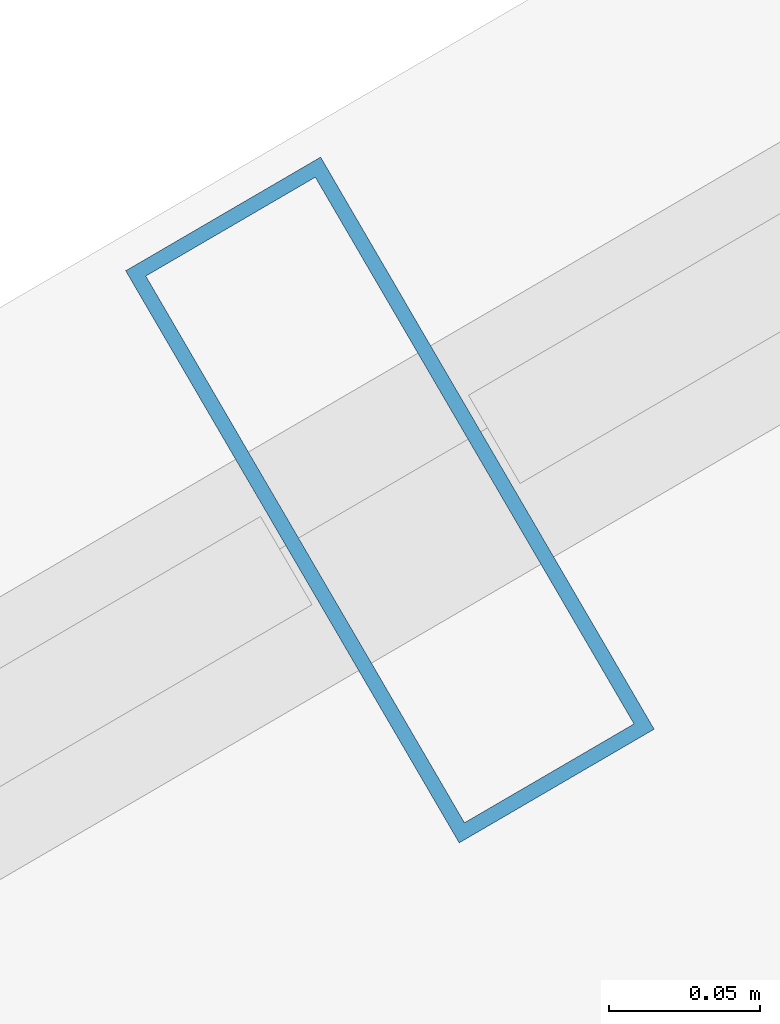
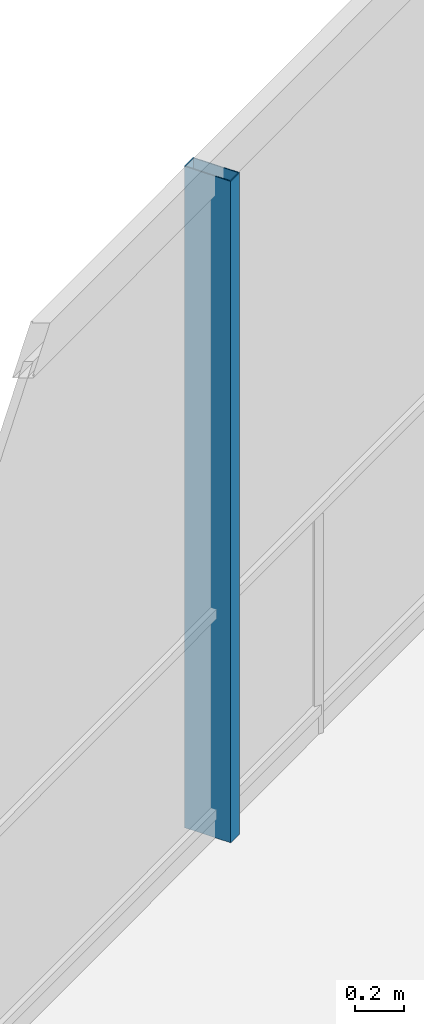
# One storey, part 10 of 19: 1 member, 1 element without a shape of its own.
"""IFC4 building model written with IfcOpenShell, lengths in metres."""

import ifcopenshell
import ifcopenshell.guid

model = None  # the IFC model being written
_history = None  # IfcOwnerHistory: only IFC2X3 demands one
_inside = {}  # id of a spatial element -> (the spatial element, [elements in it])
_under = {}  # id of a project, library or spatial element -> (it, [spatial elements below it])
_declared = {}  # id of a project -> (the project, [libraries it declares])
_typed = {}  # id of a type object -> (the type object, [elements of that type])
_made_of = {}  # id of a material, layer set ... -> (it, [elements and type objects made of it])


def new_model(schema):
    """Start an empty IFC model of exactly this schema.

    Asked for "IFC4X3", IfcOpenShell would pick the latest addendum, in which some entities
    have other attributes; the version numbers below select the first issue.
    IFC2X3 requires an IfcOwnerHistory on every rooted entity: one is made here for all.
    """
    global model, _history
    if schema == "IFC4X3":
        model = ifcopenshell.file(schema_version=(4, 3, 0, 0))
    else:
        model = ifcopenshell.file(schema=schema)
    _inside.clear()
    _under.clear()
    _declared.clear()
    _typed.clear()
    _made_of.clear()
    _history = None
    if model.schema == "IFC2X3":
        org = make("IfcOrganization", Name="unknown")
        user = make(
            "IfcPersonAndOrganization",
            ThePerson=make("IfcPerson", FamilyName="unknown"),
            TheOrganization=org,
        )
        app = make(
            "IfcApplication",
            ApplicationDeveloper=org,
            Version="unknown",
            ApplicationFullName="unknown",
            ApplicationIdentifier="unknown",
        )
        _history = make(
            "IfcOwnerHistory",
            OwningUser=user,
            OwningApplication=app,
            ChangeAction="ADDED",
            CreationDate=0,
        )
    return model


def make(cls, **values):
    """One entity of the class cls with the attributes given. An attribute that is None is left unset."""
    return model.create_entity(
        cls, **{name: value for name, value in values.items() if value is not None}
    )


def rooted(cls, **values):
    """An entity with a GlobalId (a new one), such as an element, a storey or a relation."""
    return make(cls, GlobalId=ifcopenshell.guid.new(), OwnerHistory=_history, **values)


def si_unit(unit_type, name, prefix=None):
    """IfcSIUnit, for example si_unit("LENGTHUNIT", "METRE", prefix="MILLI")."""
    return make("IfcSIUnit", UnitType=unit_type, Prefix=prefix, Name=name)


def assignment(units):
    """IfcUnitAssignment: the units of a project."""
    return None if units is None else make("IfcUnitAssignment", Units=units)


def point(xyz):
    """IfcCartesianPoint."""
    return None if xyz is None else make("IfcCartesianPoint", Coordinates=xyz)


def direction(xyz):
    """IfcDirection."""
    return None if xyz is None else make("IfcDirection", DirectionRatios=xyz)


def frame(location, z_axis=None, x_axis=None):
    """IfcAxis2Placement3D, a coordinate frame: its origin and axes. An axis left out is left unset."""
    return make(
        "IfcAxis2Placement3D",
        Location=point(location),
        Axis=direction(z_axis),
        RefDirection=direction(x_axis),
    )


def frame_2d(location, x_axis=None):
    """IfcAxis2Placement2D, a coordinate frame in the plane: its origin and x axis."""
    return make(
        "IfcAxis2Placement2D", Location=point(location), RefDirection=direction(x_axis)
    )


def origin():
    """The frame at (0, 0, 0) with its axes left unset."""
    return frame((0.0, 0.0, 0.0))


def origin_2d():
    """The frame at (0, 0) in the plane with its x axis left unset."""
    return frame_2d((0.0, 0.0))


def place(relative_to, where):
    """IfcLocalPlacement: puts the frame where relative to a parent placement (None: the world)."""
    return make(
        "IfcLocalPlacement", PlacementRelTo=relative_to, RelativePlacement=where
    )


def context(
    kind, dimensions, precision=None, world=None, true_north=None, identifier=None
):
    """IfcGeometricRepresentationContext, for example the 3D "Model" context."""
    return make(
        "IfcGeometricRepresentationContext",
        ContextIdentifier=identifier,
        ContextType=kind,
        CoordinateSpaceDimension=dimensions,
        Precision=precision,
        WorldCoordinateSystem=world,
        TrueNorth=true_north,
    )


def subcontext(parent, identifier, kind, view, scale=None):
    """IfcGeometricRepresentationSubContext, for example "Body" below "Model"."""
    return make(
        "IfcGeometricRepresentationSubContext",
        ContextIdentifier=identifier,
        ContextType=kind,
        ParentContext=parent,
        TargetScale=scale,
        TargetView=view,
    )


def project(units=None, contexts=None):
    """IfcProject with its units and contexts."""
    return rooted(
        "IfcProject",
        Name="project",
        RepresentationContexts=contexts,
        UnitsInContext=assignment(units),
    )


def spatial(cls, under=None, at=None, **own):
    """A site, building, storey or space (cls), placed at a placement, below another one or the project."""
    s = rooted(cls, ObjectPlacement=at, **own)
    if under is not None:
        _under.setdefault(under.id(), (under, []))[1].append(s)
    return s


def profile(cls, at=None, kind="AREA", **sizes):
    """A parametric profile (cls). Its sizes go by their IFC names, for example OverallWidth=200.0."""
    return make(cls, ProfileType=kind, Position=at, **sizes)


def hollow_rectangle(**sizes):
    """IfcRectangleHollowProfileDef."""
    return profile("IfcRectangleHollowProfileDef", **sizes)


def extrude(swept, where, along, depth):
    """IfcExtrudedAreaSolid: the profile swept, set in the frame where, extruded along a direction by depth."""
    return make(
        "IfcExtrudedAreaSolid",
        SweptArea=swept,
        Position=where,
        ExtrudedDirection=direction(along),
        Depth=depth,
    )


def shape(context_of_items, identifier, shape_type, items):
    """IfcShapeRepresentation: the items that make up one representation, for example the "Body"."""
    return make(
        "IfcShapeRepresentation",
        ContextOfItems=context_of_items,
        RepresentationIdentifier=identifier,
        RepresentationType=shape_type,
        Items=items,
    )


def material(Name=None, Category=None):
    """IfcMaterial."""
    return make("IfcMaterial", Name=Name, Category=Category)


def layer(
    of_material, thickness, ventilated=None, Name=None, Category=None, Priority=None
):
    """IfcMaterialLayer: one layer of a wall or slab, of a material (None: an air gap)."""
    return make(
        "IfcMaterialLayer",
        Material=of_material,
        LayerThickness=thickness,
        IsVentilated=ventilated,
        Name=Name,
        Category=Category,
        Priority=Priority,
    )


def layer_set(layers, Name=None):
    """IfcMaterialLayerSet."""
    return make("IfcMaterialLayerSet", MaterialLayers=layers, LayerSetName=Name)


def material_profile(
    of_material, cross_section, Name=None, Category=None, Priority=None
):
    """IfcMaterialProfile: a cross section and its material."""
    return make(
        "IfcMaterialProfile",
        Name=Name,
        Material=of_material,
        Profile=cross_section,
        Priority=Priority,
        Category=Category,
    )


def profile_set(profiles, Name=None, composite=None):
    """IfcMaterialProfileSet."""
    return make(
        "IfcMaterialProfileSet",
        Name=Name,
        MaterialProfiles=profiles,
        CompositeProfile=composite,
    )


def made_of(thing, what):
    """Note that an element or type object is made of a material, layer set ...; save() writes the relation."""
    if what is not None:
        _made_of.setdefault(what.id(), (what, []))[1].append(thing)
    return thing


def type_object(cls, material=None, **own):
    """A type object (cls), such as IfcWallType, which elements share."""
    return made_of(rooted(cls, **own), material)


def element(
    cls,
    number,
    at=None,
    inside=None,
    cuts=None,
    type_object=None,
    material=None,
    context=None,
    identifier="Body",
    shape_type=None,
    held_by="IfcProductDefinitionShape",
    body=None,
    shapes=None,
    **own,
):
    """One element of the class cls, such as IfcWall. Its Tag is "e" and its number.

    at: its placement. inside: the storey or other place that contains it. cuts: it is an
    opening in that element (IfcRelVoidsElement). A single representation is given by context,
    identifier, shape_type and body (its items); several are given by shapes. held_by: the class
    of the entity that holds the representations. save() writes the other relations.
    """
    e = rooted(cls, Tag="e%d" % number, ObjectPlacement=at, **own)
    if body is not None:
        shapes = [shape(context, identifier, shape_type, body)]
    if shapes is not None:
        e.Representation = make(held_by, Representations=shapes)
    if inside is not None:
        _inside.setdefault(inside.id(), (inside, []))[1].append(e)
    if cuts is not None:
        rooted(
            "IfcRelVoidsElement", RelatingBuildingElement=cuts, RelatedOpeningElement=e
        )
    if type_object is not None:
        _typed.setdefault(type_object.id(), (type_object, []))[1].append(e)
    return made_of(e, material)


def aggregate(whole, parts):
    """IfcRelAggregates: a whole, such as a stair, and the parts it consists of."""
    return rooted("IfcRelAggregates", RelatingObject=whole, RelatedObjects=parts)


def save(model, path):
    """Write the relations noted so far, then the file.

    IfcRelAggregates (storeys below a building ...), IfcRelContainedInSpatialStructure (elements
    in a storey), IfcRelDefinesByType, IfcRelAssociatesMaterial and IfcRelDeclares: one each for
    every whole, place, type object, material and project.
    """
    for whole, parts in _under.values():
        aggregate(whole, parts)
    for where, things in _inside.values():
        rooted(
            "IfcRelContainedInSpatialStructure",
            RelatedElements=things,
            RelatingStructure=where,
        )
    for kind, things in _typed.values():
        rooted("IfcRelDefinesByType", RelatedObjects=things, RelatingType=kind)
    for what, things in _made_of.values():
        rooted("IfcRelAssociatesMaterial", RelatedObjects=things, RelatingMaterial=what)
    for by, libraries in _declared.values():
        rooted("IfcRelDeclares", RelatingContext=by, RelatedDefinitions=libraries)
    model.write(path)


model = new_model("IFC4")

# Units and contexts
model_context = context("Model", 3, precision=1e-05, world=origin(), true_north=direction((0.0, 1.0)))
body_context = subcontext(model_context, "Body", "Model", "MODEL_VIEW")
ifc_project = project(units=[si_unit("LENGTHUNIT", "METRE"), si_unit("AREAUNIT", "SQUARE_METRE"), si_unit("VOLUMEUNIT", "CUBIC_METRE"), si_unit("PLANEANGLEUNIT", "RADIAN"), si_unit("MASSUNIT", "GRAM", prefix="KILO")], contexts=[model_context])

# Site, building, storey
site_placement = place(None, origin())
site = spatial("IfcSite", under=ifc_project, at=site_placement, CompositionType="ELEMENT")
building_placement = place(site_placement, origin())
building = spatial("IfcBuilding", under=site, at=building_placement, Name="Qarnah Convention Tower", CompositionType="ELEMENT")
storey_placement = place(building_placement, frame((0.0, 0.0, 180.60009765625)))
storey = spatial("IfcBuildingStorey", under=building, at=storey_placement, Name="L48", CompositionType="ELEMENT", Elevation=180.60009765625)

# Curtain wall, member
ifc_material_1 = material(Name="Tempered Low-E dark glass", Category="glass")
ifc_layer = layer(ifc_material_1, 0.174072265625)
ifc_layer_set = layer_set([ifc_layer], Name="Tempered Low-E dark glass")
curtain_wall_type = type_object("IfcCurtainWallType", Name="CWS-04", PredefinedType="NOTDEFINED", material=ifc_layer_set)
curtain_wall_placement = place(storey_placement, origin())
curtain_wall = element("IfcCurtainWall", 1, at=curtain_wall_placement, inside=storey, type_object=curtain_wall_type, Name="L48 unitised curtain wall CW-L48-F3", PredefinedType="NOTDEFINED")
ifc_material_2 = material(Name="Black anodised aluminium", Category="aluminium")
ifc_material_profile = material_profile(ifc_material_2, hollow_rectangle(XDim=0.074951171875, YDim=0.219970703125, WallThickness=0.0048828125, at=origin_2d()), Name="MUL-75X220")
ifc_profile_set = profile_set([ifc_material_profile], Name="Black anodised aluminium")
member_type = type_object("IfcMemberType", Name="MUL-T4", PredefinedType="MULLION", material=ifc_profile_set)
member_placement = place(storey_placement, frame((26.66552734375, 38.845703125, 0.0), z_axis=(0.0, 0.0, 1.0), x_axis=(0.863909634333, 0.503646844234, 0.0)))
member = element("IfcMember", 2, at=member_placement, type_object=member_type, Name="CW-L48-F3 mullion 3", PredefinedType="MULLION", context=body_context, shape_type="SweptSolid", body=[
    extrude(hollow_rectangle(XDim=0.074951171875, YDim=0.219970703125, WallThickness=0.0048828125, at=origin_2d()), origin(), (0.0, 0.0, 1.0), 3.31982421875),
])
aggregate(curtain_wall, [member])

save(model, "model.ifc")
